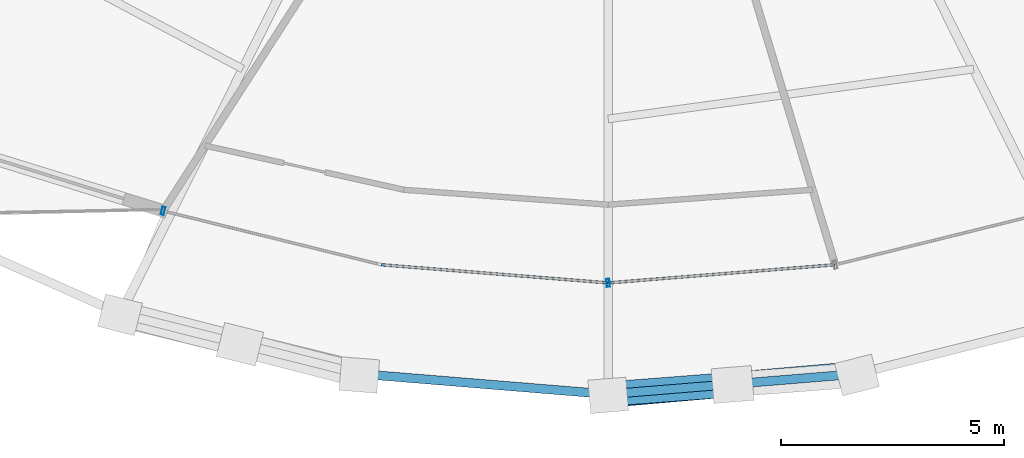
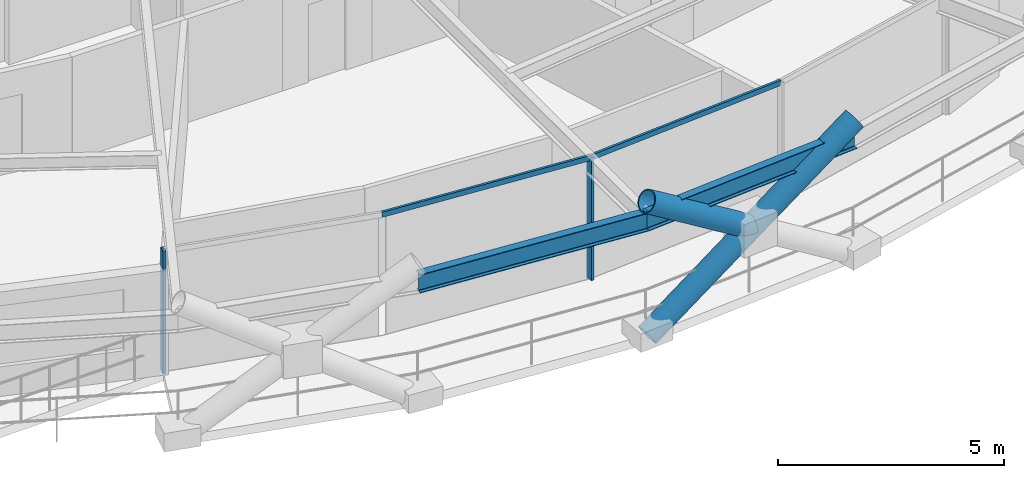
# One storey, part 2 of 21: 6 members, 2 beams, 1 element without a shape of its own.
"""IFC4 building model written with IfcOpenShell, lengths in metres."""

from ifc_helpers import new_model, si_unit, direction, frame, origin, origin_2d, place, context, subcontext, project, spatial, hollow_rectangle, hollow_circle, i_section, extrude, material, layer, layer_set, material_profile, profile_set, type_object, element, aggregate, save


model = new_model("IFC4")

# Units and contexts
model_context = context("Model", 3, precision=1e-05, world=origin(), true_north=direction((0.0, 1.0)))
body_context = subcontext(model_context, "Body", "Model", "MODEL_VIEW")
ifc_project = project(units=[si_unit("LENGTHUNIT", "METRE"), si_unit("AREAUNIT", "SQUARE_METRE"), si_unit("VOLUMEUNIT", "CUBIC_METRE"), si_unit("PLANEANGLEUNIT", "RADIAN"), si_unit("MASSUNIT", "GRAM", prefix="KILO")], contexts=[model_context])

# Site, building, storey
site_placement = place(None, origin())
site = spatial("IfcSite", under=ifc_project, at=site_placement, CompositionType="ELEMENT")
building_placement = place(site_placement, origin())
building = spatial("IfcBuilding", under=site, at=building_placement, Name="Veldorina Hangang Commons", CompositionType="ELEMENT")
storey_placement = place(building_placement, frame((0.0, 0.0, 128.0)))
storey = spatial("IfcBuildingStorey", under=building, at=storey_placement, Name="L32", CompositionType="ELEMENT", Elevation=128.0)

# Beams
ifc_material_1 = material(Name="Steel SM420-TMC", Category="steel")
ifc_material_profile_1 = material_profile(ifc_material_1, i_section(OverallWidth=0.199951171875, OverallDepth=0.5, WebThickness=0.010009765625, FlangeThickness=0.01611328125, FilletRadius=0.01611328125, at=origin_2d()), Name="H-500x200x10x16")
ifc_profile_set_1 = profile_set([ifc_material_profile_1], Name="Steel SM420-TMC")
beam_type = type_object("IfcBeamType", Name="BM-RB500", PredefinedType="BEAM", material=ifc_profile_set_1)
for number, where, z_axis, x_axis, name in (
    (1, (26.430419921875, 0.7705078125, 3.10009765625), (0.996674992602, -0.081479808057, 0.0), (0.081479808057, 0.996674992602, 0.0), "L32 perimeter hoop ring beam 23"),
    (2, (32.0, 0.315185546875, 3.10009765625), (0.996674992602, 0.081479808057, 0.0), (-0.081479808057, 0.996674992602, 0.0), "L32 perimeter hoop ring beam 24"),
):
    element("IfcBeam", number, at=place(storey_placement, frame(where, z_axis=z_axis, x_axis=x_axis)), inside=storey, type_object=beam_type, Name=name, PredefinedType="BEAM", context=body_context, shape_type="SweptSolid", body=[
        extrude(i_section(OverallWidth=0.199951171875, OverallDepth=0.5, WebThickness=0.010009765625, FlangeThickness=0.01611328125, FilletRadius=0.01611328125, at=origin_2d()), origin(), (0.0, 0.0, 1.0), 5.588134765625),
    ])

# Curtain wall, members
ifc_material_2 = material(Name="Glass Low-E Triple IGU", Category="glass")
ifc_layer = layer(ifc_material_2, 0.179931640625)
ifc_layer_set = layer_set([ifc_layer], Name="Glass Low-E Triple IGU")
curtain_wall_type = type_object("IfcCurtainWallType", Name="CW-SYS-Z2", PredefinedType="NOTDEFINED", material=ifc_layer_set)
curtain_wall_placement = place(storey_placement, origin())
curtain_wall = element("IfcCurtainWall", 3, at=curtain_wall_placement, inside=storey, type_object=curtain_wall_type, Name="L32 unitised curtain wall CW-L32-R1", PredefinedType="NOTDEFINED")
ifc_material_3 = material(Name="Aluminium Anodized AA6063-T6", Category="aluminium")
ifc_material_profile_2 = material_profile(ifc_material_3, hollow_rectangle(XDim=0.070068359375, YDim=0.179931640625, WallThickness=0.00390625, at=origin_2d()), Name="ALU-RHS-180x70x4")
ifc_profile_set_2 = profile_set([ifc_material_profile_2], Name="Aluminium Anodized AA6063-T6")
member_type_1 = type_object("IfcMemberType", Name="CW-MUL-180", PredefinedType="MULLION", material=ifc_profile_set_2)
member_1_placement = place(storey_placement, frame((22.025146484375, 4.423095703125, 0.0), z_axis=(0.0, 0.0, 1.0), x_axis=(0.970913215163, -0.239431678403, 0.0)))
member_1 = element("IfcMember", 4, at=member_1_placement, type_object=member_type_1, Name="CW-L32-R1 vertical mullion 1", PredefinedType="MULLION", context=body_context, shape_type="SweptSolid", body=[
    extrude(hollow_rectangle(XDim=0.070068359375, YDim=0.179931640625, WallThickness=0.00390625, at=origin_2d()), origin(), (0.0, 0.0, 1.0), 3.31005859375),
])
member_2_placement = place(storey_placement, frame((32.0, 2.81005859375, 0.0), z_axis=(0.0, 0.0, 1.0), x_axis=(0.996809599152, 0.079816182813, 0.0)))
member_2 = element("IfcMember", 5, at=member_2_placement, type_object=member_type_1, Name="CW-L32-R1 vertical mullion 2", PredefinedType="MULLION", context=body_context, shape_type="SweptSolid", body=[
    extrude(hollow_rectangle(XDim=0.070068359375, YDim=0.179931640625, WallThickness=0.00390625, at=origin_2d()), origin(), (0.0, 0.0, 1.0), 3.31005859375),
])
ifc_material_profile_3 = material_profile(ifc_material_3, hollow_rectangle(XDim=0.06005859375, YDim=0.139892578125, WallThickness=0.00341796875, at=origin_2d()), Name="ALU-RHS-140x60x3.5")
ifc_profile_set_3 = profile_set([ifc_material_profile_3], Name="Aluminium Anodized AA6063-T6")
member_type_2 = type_object("IfcMemberType", Name="CW-TRN-140", PredefinedType="USERDEFINED", material=ifc_profile_set_3)
member_3_placement = place(storey_placement, frame((26.914794921875, 3.21728515625, 3.27001953125), z_axis=(0.996808884286, -0.079825110134, 0.0), x_axis=(0.079825110134, 0.996808884286, 0.0)))
member_3 = element("IfcMember", 6, at=member_3_placement, type_object=member_type_2, Name="CW-L32-R1 facet 2 transom 1", ObjectType="TRANSOM", PredefinedType="USERDEFINED", context=body_context, shape_type="SweptSolid", body=[
    extrude(hollow_rectangle(XDim=0.06005859375, YDim=0.139892578125, WallThickness=0.00341796875, at=origin_2d()), origin(), (0.0, 0.0, 1.0), 5.1015625),
])
member_4_placement = place(storey_placement, frame((32.0, 2.81005859375, 3.27001953125), z_axis=(0.996808884286, 0.079825110134, 0.0), x_axis=(-0.079825110134, 0.996808884286, 0.0)))
member_4 = element("IfcMember", 7, at=member_4_placement, type_object=member_type_2, Name="CW-L32-R1 facet 3 transom 1", ObjectType="TRANSOM", PredefinedType="USERDEFINED", context=body_context, shape_type="SweptSolid", body=[
    extrude(hollow_rectangle(XDim=0.06005859375, YDim=0.139892578125, WallThickness=0.00341796875, at=origin_2d()), origin(), (0.0, 0.0, 1.0), 5.1015625),
])
aggregate(curtain_wall, [member_1, member_2, member_3, member_4])

# Members
ifc_material_profile_4 = material_profile(ifc_material_1, hollow_circle(Radius=0.27490234375, WallThickness=0.028076171875, at=origin_2d()), Name="CHS-550x28")
ifc_profile_set_4 = profile_set([ifc_material_profile_4], Name="Steel SM420-TMC")
member_type_3 = type_object("IfcMemberType", Name="DG-CHS550", PredefinedType="BRACE", material=ifc_profile_set_4)
member_5_placement = place(storey_placement, frame((32.0, 0.2900390625, 0.0), z_axis=(0.837552874872, 0.072853036247, 0.54147725428), x_axis=(-0.086656003069, 0.996238293348, 0.0)))
element("IfcMember", 8, at=member_5_placement, inside=storey, type_object=member_type_3, Name="L32 continuous perimeter diagrid brace 24", PredefinedType="BRACE", context=body_context, shape_type="SweptSolid", body=[
    extrude(hollow_circle(Radius=0.27490234375, WallThickness=0.028076171875, at=origin_2d()), origin(), (0.0, 0.0, 1.0), 6.648681640625),
])
member_6_placement = place(storey_placement, frame((34.786376953125, 0.532470703125, 1.80126953125), z_axis=(-0.838407073154, -0.064131199059, 0.541258504775), x_axis=(0.076268921301, -0.997087283864, 0.0)))
element("IfcMember", 9, at=member_6_placement, inside=storey, type_object=member_type_3, Name="L32 split perimeter diagrid upper brace 25", PredefinedType="BRACE", context=body_context, shape_type="SweptSolid", body=[
    extrude(hollow_circle(Radius=0.27490234375, WallThickness=0.028076171875, at=origin_2d()), origin(), (0.0, 0.0, 1.0), 3.323486328125),
])

save(model, "model.ifc")
